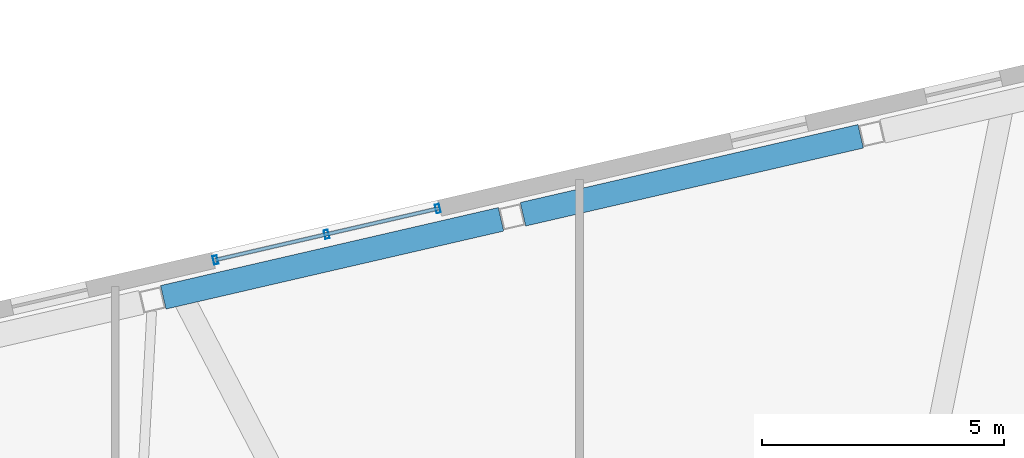
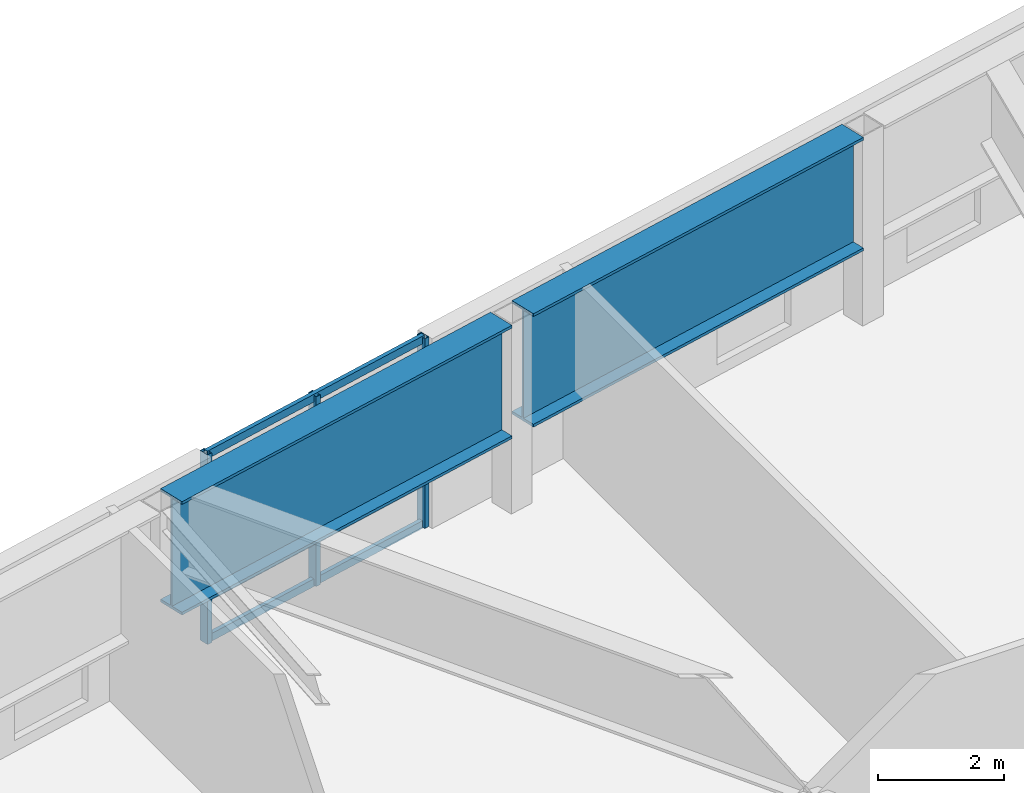
# One storey, part 14 of 23: 6 members, 2 beams, 1 element without a shape of its own.
"""IFC4 building model written with IfcOpenShell, lengths in metres."""

from ifc_helpers import new_model, si_unit, direction, frame, origin, origin_2d, place, context, subcontext, project, spatial, hollow_rectangle, i_section, extrude, material, layer, layer_set, material_profile, profile_set, type_object, element, aggregate, save


model = new_model("IFC4")

# Units and contexts
model_context = context("Model", 3, precision=1e-05, world=origin(), true_north=direction((0.0, 1.0)))
body_context = subcontext(model_context, "Body", "Model", "MODEL_VIEW")
ifc_project = project(units=[si_unit("LENGTHUNIT", "METRE"), si_unit("AREAUNIT", "SQUARE_METRE"), si_unit("VOLUMEUNIT", "CUBIC_METRE"), si_unit("PLANEANGLEUNIT", "RADIAN"), si_unit("MASSUNIT", "GRAM", prefix="KILO")], contexts=[model_context])

# Site, building, storey
site_placement = place(None, origin())
site = spatial("IfcSite", under=ifc_project, at=site_placement, CompositionType="ELEMENT")
building_placement = place(site_placement, origin())
building = spatial("IfcBuilding", under=site, at=building_placement, Name="Tavrogorsk Clinical Tower", CompositionType="ELEMENT")
storey_placement = place(building_placement, frame((0.0, 0.0, 329.0)))
storey = spatial("IfcBuildingStorey", under=building, at=storey_placement, Name="L77", CompositionType="ELEMENT", Elevation=329.0)

# Curtain wall, members
ifc_material_1 = material(Name="Anodised aluminium and triple IGU glazing", Category="aluminium")
ifc_layer = layer(ifc_material_1, 0.179931640625)
ifc_layer_set = layer_set([ifc_layer], Name="Anodised aluminium and triple IGU glazing")
curtain_wall_type = type_object("IfcCurtainWallType", Name="CW2_NorthSlot", PredefinedType="NOTDEFINED", material=ifc_layer_set)
curtain_wall_placement = place(storey_placement, origin())
curtain_wall = element("IfcCurtainWall", 1, at=curtain_wall_placement, inside=storey, type_object=curtain_wall_type, Name="L77 Curtain Wall CW-L77-N-SLOT-2", PredefinedType="NOTDEFINED")
ifc_material_2 = material(Name="Anodised aluminium alloy AW-6060", Category="aluminium")
ifc_material_profile_1 = material_profile(ifc_material_2, hollow_rectangle(XDim=0.090087890625, YDim=0.179931640625, WallThickness=0.00634765625, at=origin_2d()), Name="RHS-180x90x6.3")
ifc_profile_set_1 = profile_set([ifc_material_profile_1], Name="Anodised aluminium alloy AW-6060")
member_type_1 = type_object("IfcMemberType", Name="CwMullion_180x90", PredefinedType="MULLION", material=ifc_profile_set_1)
member_1_placement = place(storey_placement, frame((2.26904296875, 22.400634765625, 0.0), z_axis=(0.0, 0.0, 1.0), x_axis=(-0.974370092441, -0.224950934554, 0.0)))
member_1 = element("IfcMember", 2, at=member_1_placement, type_object=member_type_1, Name="CW-L77-N-SLOT-2 Mullion 1", PredefinedType="MULLION", context=body_context, shape_type="SweptSolid", body=[
    extrude(hollow_rectangle(XDim=0.090087890625, YDim=0.179931640625, WallThickness=0.00634765625, at=origin_2d()), origin(), (0.0, 0.0, 1.0), 3.679931640625),
])
member_2_placement = place(storey_placement, frame((-0.029541015625, 21.869873046875, 0.0), z_axis=(0.0, 0.0, 1.0), x_axis=(-0.974370092441, -0.224950934554, 0.0)))
member_2 = element("IfcMember", 3, at=member_2_placement, type_object=member_type_1, Name="CW-L77-N-SLOT-2 Mullion 2", PredefinedType="MULLION", context=body_context, shape_type="SweptSolid", body=[
    extrude(hollow_rectangle(XDim=0.090087890625, YDim=0.179931640625, WallThickness=0.00634765625, at=origin_2d()), origin(), (0.0, 0.0, 1.0), 3.679931640625),
])
member_3_placement = place(storey_placement, frame((-2.328125, 21.339111328125, 0.0), z_axis=(0.0, 0.0, 1.0), x_axis=(-0.974370092441, -0.224950934554, 0.0)))
member_3 = element("IfcMember", 4, at=member_3_placement, type_object=member_type_1, Name="CW-L77-N-SLOT-2 Mullion 3", PredefinedType="MULLION", context=body_context, shape_type="SweptSolid", body=[
    extrude(hollow_rectangle(XDim=0.090087890625, YDim=0.179931640625, WallThickness=0.00634765625, at=origin_2d()), origin(), (0.0, 0.0, 1.0), 3.679931640625),
])
ifc_material_3 = material(Name="Anodised aluminium alloy AW-6060", Category="aluminium")
ifc_material_profile_2 = material_profile(ifc_material_3, hollow_rectangle(XDim=0.074951171875, YDim=0.14990234375, WallThickness=0.0048828125, at=origin_2d()), Name="RHS-150x75x5")
ifc_profile_set_2 = profile_set([ifc_material_profile_2], Name="Anodised aluminium alloy AW-6060")
member_type_2 = type_object("IfcMemberType", Name="CwTransom_150x75", PredefinedType="USERDEFINED", material=ifc_profile_set_2)
member_4_placement = place(storey_placement, frame((2.26904296875, 22.400634765625, 0.050048828125), z_axis=(-0.974361535497, -0.224987995557, 0.0), x_axis=(0.224987995557, -0.974361535497, 0.0)))
member_4 = element("IfcMember", 5, at=member_4_placement, type_object=member_type_2, Name="CW-L77-N-SLOT-2 Transom 1", ObjectType="TRANSOM", PredefinedType="USERDEFINED", context=body_context, shape_type="SweptSolid", body=[
    extrude(hollow_rectangle(XDim=0.074951171875, YDim=0.14990234375, WallThickness=0.0048828125, at=origin_2d()), origin(), (0.0, 0.0, 1.0), 4.718017578125),
])
member_5_placement = place(storey_placement, frame((2.26904296875, 22.400634765625, 0.85009765625), z_axis=(-0.974361535497, -0.224987995557, 0.0), x_axis=(0.224987995557, -0.974361535497, 0.0)))
member_5 = element("IfcMember", 6, at=member_5_placement, type_object=member_type_2, Name="CW-L77-N-SLOT-2 Transom 2", ObjectType="TRANSOM", PredefinedType="USERDEFINED", context=body_context, shape_type="SweptSolid", body=[
    extrude(hollow_rectangle(XDim=0.074951171875, YDim=0.14990234375, WallThickness=0.0048828125, at=origin_2d()), origin(), (0.0, 0.0, 1.0), 4.718017578125),
])
member_6_placement = place(storey_placement, frame((2.26904296875, 22.400634765625, 3.6298828125), z_axis=(-0.974361535497, -0.224987995557, 0.0), x_axis=(0.224987995557, -0.974361535497, 0.0)))
member_6 = element("IfcMember", 7, at=member_6_placement, type_object=member_type_2, Name="CW-L77-N-SLOT-2 Transom 3", ObjectType="TRANSOM", PredefinedType="USERDEFINED", context=body_context, shape_type="SweptSolid", body=[
    extrude(hollow_rectangle(XDim=0.074951171875, YDim=0.14990234375, WallThickness=0.0048828125, at=origin_2d()), origin(), (0.0, 0.0, 1.0), 4.718017578125),
])
aggregate(curtain_wall, [member_1, member_2, member_3, member_4, member_5, member_6])

# Beams
ifc_material_4 = material(Name="Structural steel S440", Category="steel")
ifc_material_profile_3 = material_profile(ifc_material_4, i_section(OverallWidth=0.5, OverallDepth=2.199951171875, WebThickness=0.035888671875, FlangeThickness=0.054931640625, at=origin_2d()), Name="DK-2200x500x36x55")
ifc_profile_set_3 = profile_set([ifc_material_profile_3], Name="Structural steel S440")
beam_type = type_object("IfcBeamType", Name="TransferGirder_DK2200", PredefinedType="USERDEFINED", material=ifc_profile_set_3)
for number, where, z_axis, x_axis, name in (
    (8, (11.01611328125, 23.896484375, 2.580078125), (-0.974369378592, -0.224954026551, 0.0), (0.224954026551, -0.974369378592, 0.0), "L77 Perimeter Spandrel N2-N3"),
    (9, (3.577392578125, 22.17919921875, 2.580078125), (-0.974369378592, -0.224954026551, 0.0), (0.224954026551, -0.974369378592, 0.0), "L77 Perimeter Spandrel N3-N4"),
):
    element("IfcBeam", number, at=place(storey_placement, frame(where, z_axis=z_axis, x_axis=x_axis)), inside=storey, type_object=beam_type, Name=name, ObjectType="GIRDER", PredefinedType="USERDEFINED", context=body_context, shape_type="SweptSolid", body=[
        extrude(i_section(OverallWidth=0.5, OverallDepth=2.199951171875, WebThickness=0.035888671875, FlangeThickness=0.054931640625, at=origin_2d()), origin(), (0.0, 0.0, 1.0), 7.16845703125),
    ])

save(model, "model.ifc")
